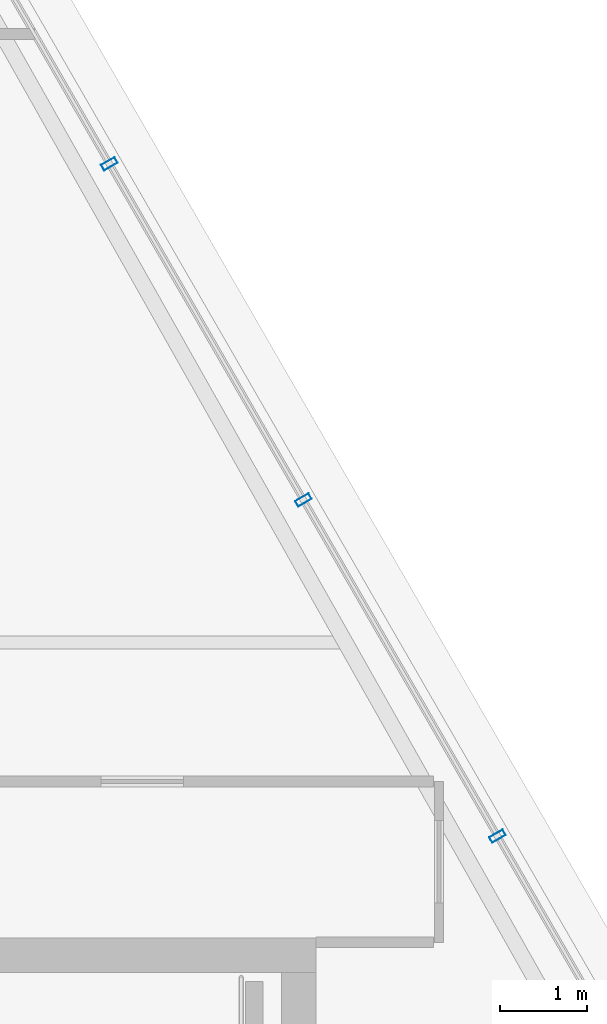
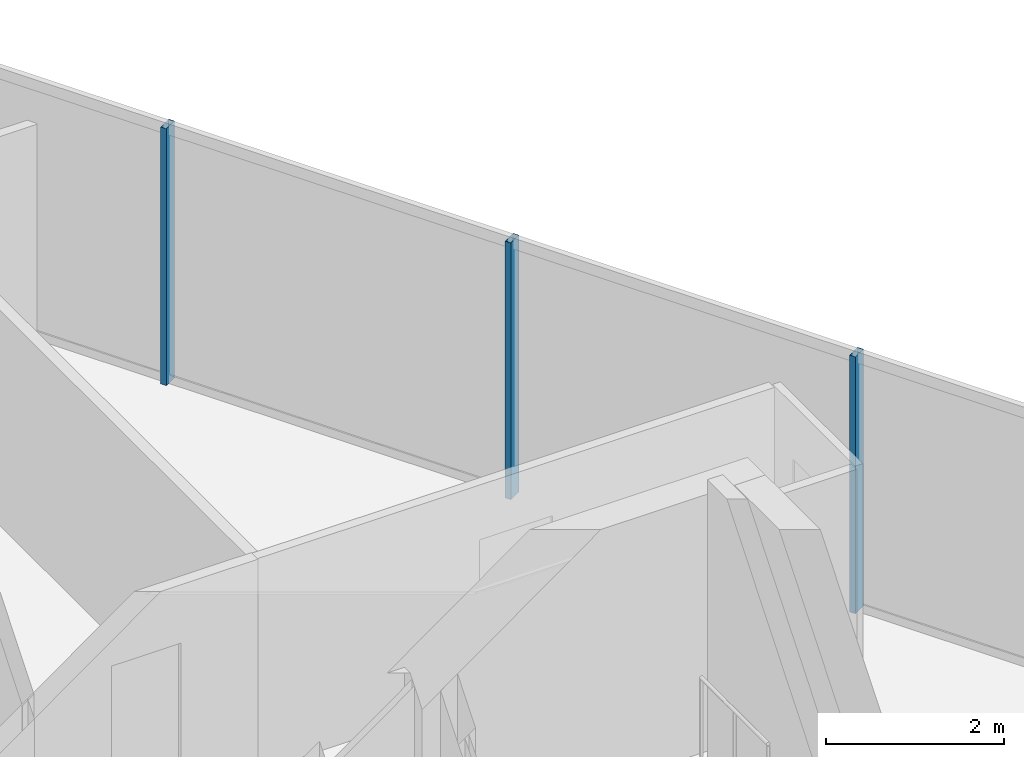
# One storey, part 22 of 32: 3 members, 1 element without a shape of its own.
"""IFC4 building model written with IfcOpenShell, lengths in metres."""

from ifc_helpers import new_model, si_unit, direction, frame, origin, origin_2d, place, context, subcontext, project, spatial, hollow_rectangle, extrude, material, layer, layer_set, material_profile, profile_set, type_object, element, aggregate, save


model = new_model("IFC4")

# Units and contexts
model_context = context("Model", 3, precision=1e-05, world=origin(), true_north=direction((0.0, 1.0)))
body_context = subcontext(model_context, "Body", "Model", "MODEL_VIEW")
ifc_project = project(units=[si_unit("LENGTHUNIT", "METRE"), si_unit("AREAUNIT", "SQUARE_METRE"), si_unit("VOLUMEUNIT", "CUBIC_METRE"), si_unit("PLANEANGLEUNIT", "RADIAN"), si_unit("MASSUNIT", "GRAM", prefix="KILO")], contexts=[model_context])

# Site, building, storey
site_placement = place(None, origin())
site = spatial("IfcSite", under=ifc_project, at=site_placement, CompositionType="ELEMENT")
building_placement = place(site_placement, origin())
building = spatial("IfcBuilding", under=site, at=building_placement, Name="Ndaravel Arena Tower", CompositionType="ELEMENT")
storey_placement = place(building_placement, frame((0.0, 0.0, 294.699951171875)))
storey = spatial("IfcBuildingStorey", under=building, at=storey_placement, Name="L72", CompositionType="ELEMENT", Elevation=294.699951171875)

# Curtain wall, members
ifc_material_1 = material(Name="Aluminium", Category="aluminium")
ifc_layer = layer(ifc_material_1, 0.179931640625)
ifc_layer_set = layer_set([ifc_layer], Name="Aluminium")
curtain_wall_type = type_object("IfcCurtainWallType", Name="CW-SYS-03", PredefinedType="NOTDEFINED", material=ifc_layer_set)
curtain_wall_placement = place(storey_placement, origin())
curtain_wall = element("IfcCurtainWall", 1, at=curtain_wall_placement, inside=storey, type_object=curtain_wall_type, Name="L72 Faceted Crystal Curtain Wall CW-L72-E03", PredefinedType="NOTDEFINED")
ifc_material_2 = material(Name="Aluminium", Category="aluminium")
ifc_material_profile = material_profile(ifc_material_2, hollow_rectangle(XDim=0.074951171875, YDim=0.179931640625, WallThickness=0.00390625, at=origin_2d()), Name="CW MULLION 75x180x4")
ifc_profile_set = profile_set([ifc_material_profile], Name="Aluminium")
member_type = type_object("IfcMemberType", Name="MEM-CW-MUL180", PredefinedType="MULLION", material=ifc_profile_set)
member_1_placement = place(storey_placement, frame((59.637939453125, 16.371337890625, 0.0), z_axis=(0.0, 0.0, 1.0), x_axis=(-0.5, 0.866025403784, 0.0)))
member_1 = element("IfcMember", 2, at=member_1_placement, type_object=member_type, Name="CW-L72-E03 Mullion 02", PredefinedType="MULLION", context=body_context, shape_type="SweptSolid", body=[
    extrude(hollow_rectangle(XDim=0.074951171875, YDim=0.179931640625, WallThickness=0.00390625, at=origin_2d()), origin(), (0.0, 0.0, 1.0), 3.52001953125),
])
member_2_placement = place(storey_placement, frame((57.405029296875, 20.239013671875, 0.0), z_axis=(0.0, 0.0, 1.0), x_axis=(-0.5, 0.866025403784, 0.0)))
member_2 = element("IfcMember", 3, at=member_2_placement, type_object=member_type, Name="CW-L72-E03 Mullion 03", PredefinedType="MULLION", context=body_context, shape_type="SweptSolid", body=[
    extrude(hollow_rectangle(XDim=0.074951171875, YDim=0.179931640625, WallThickness=0.00390625, at=origin_2d()), origin(), (0.0, 0.0, 1.0), 3.52001953125),
])
member_3_placement = place(storey_placement, frame((55.172119140625, 24.106689453125, 0.0), z_axis=(0.0, 0.0, 1.0), x_axis=(-0.5, 0.866025403784, 0.0)))
member_3 = element("IfcMember", 4, at=member_3_placement, type_object=member_type, Name="CW-L72-E03 Mullion 04", PredefinedType="MULLION", context=body_context, shape_type="SweptSolid", body=[
    extrude(hollow_rectangle(XDim=0.074951171875, YDim=0.179931640625, WallThickness=0.00390625, at=origin_2d()), origin(), (0.0, 0.0, 1.0), 3.52001953125),
])
aggregate(curtain_wall, [member_1, member_2, member_3])

save(model, "model.ifc")
